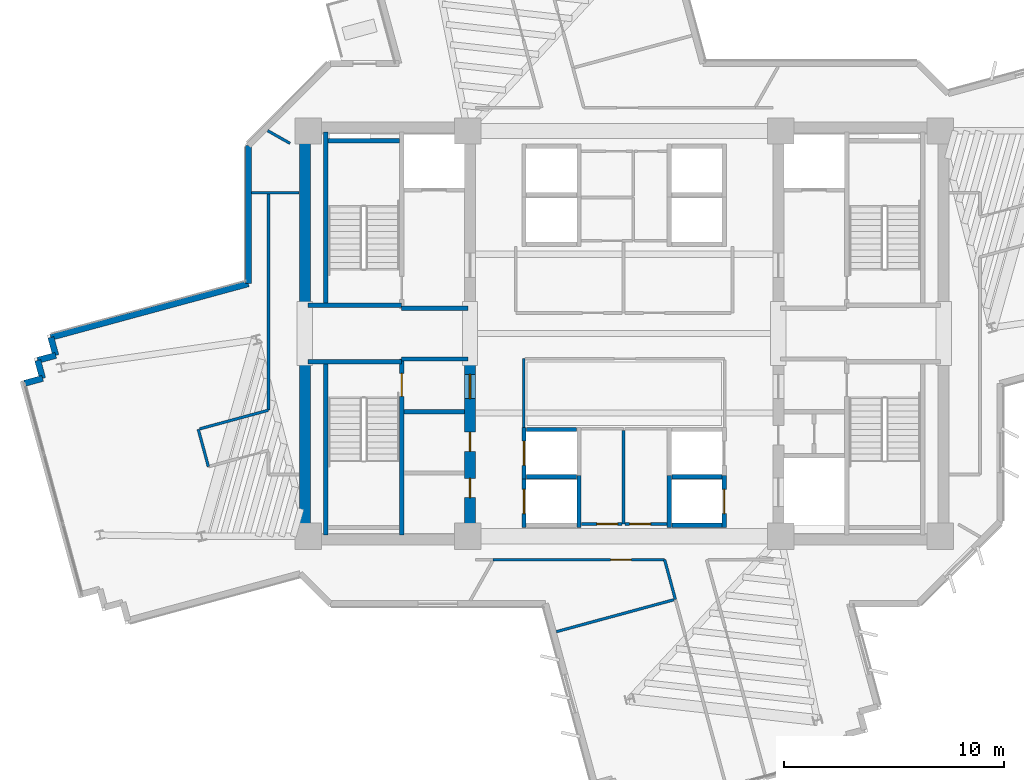
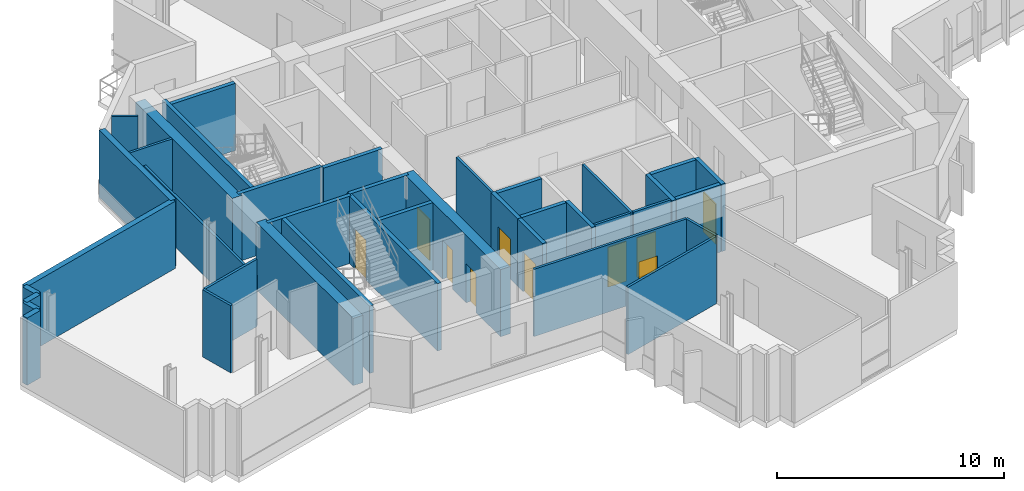
# One storey, part 8 of 15: 39 walls, 10 doors, 10 openings.
"""IFC4 building model written with IfcOpenShell, lengths in metres."""

from ifc_helpers import new_model, si_unit, direction, frame, frame_2d, origin, place, context, subcontext, project, spatial, rectangle, extrude, source, transform, mapped, material, layer, layer_set, type_object, element, fill, save


model = new_model("IFC4")

# Units and contexts
model_context = context("Model", 3, precision=1e-05, world=origin(), true_north=direction((0.0, 1.0)))
body_context = subcontext(model_context, "Body", "Model", "MODEL_VIEW")
ifc_project = project(units=[si_unit("LENGTHUNIT", "METRE"), si_unit("AREAUNIT", "SQUARE_METRE"), si_unit("VOLUMEUNIT", "CUBIC_METRE"), si_unit("PLANEANGLEUNIT", "RADIAN"), si_unit("MASSUNIT", "GRAM", prefix="KILO")], contexts=[model_context])

# Site, building, storey
site_placement = place(None, origin())
site = spatial("IfcSite", under=ifc_project, at=site_placement, CompositionType="ELEMENT")
building_placement = place(site_placement, origin())
building = spatial("IfcBuilding", under=site, at=building_placement, Name="Zahravan Cultural Tower", CompositionType="ELEMENT")
storey_placement = place(building_placement, frame((0.0, 0.0, 198.0)))
storey = spatial("IfcBuildingStorey", under=building, at=storey_placement, Name="L46", CompositionType="ELEMENT", Elevation=198.0)

# Wall, openings, doors
ifc_material_1 = material(Name="Concrete C60/75", Category="concrete")
ifc_layer_1 = layer(ifc_material_1, 0.5)
ifc_layer_set_1 = layer_set([ifc_layer_1], Name="Concrete C60/75")
wall_type_1 = type_object("IfcWallType", Name="CW-SHEAR-500-C60", PredefinedType="SHEAR", material=ifc_layer_set_1)
wall_1_placement = place(storey_placement, frame((29.0, 17.39990234375, 0.0), z_axis=(0.0, 0.0, 1.0), x_axis=(0.0, 1.0, 0.0)))
wall_1 = element("IfcWall", 1, at=wall_1_placement, inside=storey, type_object=wall_type_1, Name="L46 Core Shear Wall CW-W-ES-L46", PredefinedType="SHEAR", context=body_context, shape_type="SweptSolid", body=[
    extrude(rectangle(XDim=8.550048828125, YDim=0.5, at=frame_2d((4.27490234375, 0.0))), origin(), (0.0, 0.0, 1.0), 3.6201171875),
])
opening_1_placement = place(wall_1_placement, frame((6.64990234375, 0.0, 0.0)))
opening_1 = element("IfcOpeningElement", 2, at=opening_1_placement, cuts=wall_1, Name="Opening D-L46-07", PredefinedType="OPENING", context=body_context, shape_type="SweptSolid", body=[
    extrude(rectangle(XDim=1.10009765625, YDim=2.199951171875, at=frame_2d((0.550048828125, 1.10009765625))), frame((0.0, 0.260009765625, 0.0), z_axis=(0.0, -1.0, 0.0), x_axis=(1.0, 0.0, 0.0)), (0.0, 0.0, 1.0), 0.52001953125),
])
opening_2_placement = place(wall_1_placement, frame((2.14990234375, 0.0, 0.0)))
opening_2 = element("IfcOpeningElement", 3, at=opening_2_placement, cuts=wall_1, Name="Opening D-L46-09", PredefinedType="OPENING", context=body_context, shape_type="SweptSolid", body=[
    extrude(rectangle(XDim=0.8798828125, YDim=2.10009765625, at=frame_2d((0.43994140625, 1.050048828125))), frame((0.0, 0.260009765625, 0.0), z_axis=(0.0, -1.0, 0.0), x_axis=(1.0, 0.0, 0.0)), (0.0, 0.0, 1.0), 0.52001953125),
])
opening_3_placement = place(wall_1_placement, frame((4.25, 0.0, 0.0)))
opening_3 = element("IfcOpeningElement", 4, at=opening_3_placement, cuts=wall_1, Name="Opening D-L46-10", PredefinedType="OPENING", context=body_context, shape_type="SweptSolid", body=[
    extrude(rectangle(XDim=0.8798828125, YDim=2.10009765625, at=frame_2d((0.43994140625, 1.050048828125))), frame((0.0, 0.260009765625, 0.0), z_axis=(0.0, -1.0, 0.0), x_axis=(1.0, 0.0, 0.0)), (0.0, 0.0, 1.0), 0.52001953125),
])
ifc_material_2 = material(Name="Steel ASTM A572 Grade 50", Category="steel")
door_type_1 = type_object("IfcDoorType", Name="DR-LOBBY-1100", OperationType="NOTDEFINED", PredefinedType="DOOR", material=ifc_material_2)
shared_shape_1 = source(origin(), body_context, "Body", "SweptSolid", [
    extrude(rectangle(XDim=1.10009765625, YDim=2.199951171875, at=frame_2d((0.550048828125, 1.10009765625))), frame((0.0, 0.02490234375, 0.0), z_axis=(0.0, -1.0, 0.0), x_axis=(1.0, 0.0, 0.0)), (0.0, 0.0, 1.0), 0.050048828125),
])
door_1_placement = place(opening_1_placement, origin())
door_1 = element("IfcDoor", 5, at=door_1_placement, inside=storey, type_object=door_type_1, Name="L46 Door D-L46-07", OperationType="SINGLE_SWING_LEFT", OverallHeight=2.199951171875, OverallWidth=1.10009765625, PredefinedType="DOOR", context=body_context, shape_type="MappedRepresentation", body=[
    mapped(shared_shape_1, transform((0.0, 0.0, 0.0), x_axis=(1.0, 0.0, 0.0), y_axis=(0.0, 1.0, 0.0), z_axis=(0.0, 0.0, 1.0), scale=1.0)),
])
fill(opening_1, door_1)
door_type_2 = type_object("IfcDoorType", Name="DR-SVC-880", OperationType="NOTDEFINED", PredefinedType="DOOR", material=ifc_material_2)
shared_shape_2 = source(origin(), body_context, "Body", "SweptSolid", [
    extrude(rectangle(XDim=0.8798828125, YDim=2.10009765625, at=frame_2d((0.43994140625, 1.050048828125))), frame((0.0, 0.02490234375, 0.0), z_axis=(0.0, -1.0, 0.0), x_axis=(1.0, 0.0, 0.0)), (0.0, 0.0, 1.0), 0.050048828125),
])
door_2_placement = place(opening_2_placement, origin())
door_2 = element("IfcDoor", 6, at=door_2_placement, inside=storey, type_object=door_type_2, Name="L46 Door D-L46-09", OperationType="SINGLE_SWING_LEFT", OverallHeight=2.10009765625, OverallWidth=0.8798828125, PredefinedType="DOOR", context=body_context, shape_type="MappedRepresentation", body=[
    mapped(shared_shape_2, transform((0.0, 0.0, 0.0), x_axis=(1.0, 0.0, 0.0), y_axis=(0.0, 1.0, 0.0), z_axis=(0.0, 0.0, 1.0), scale=1.0)),
])
fill(opening_2, door_2)
door_3_placement = place(opening_3_placement, origin())
door_3 = element("IfcDoor", 7, at=door_3_placement, inside=storey, type_object=door_type_2, Name="L46 Door D-L46-10", OperationType="SINGLE_SWING_RIGHT", OverallHeight=2.10009765625, OverallWidth=0.8798828125, PredefinedType="DOOR", context=body_context, shape_type="MappedRepresentation", body=[
    mapped(shared_shape_2, transform((0.0, 0.0, 0.0), x_axis=(1.0, 0.0, 0.0), y_axis=(0.0, 1.0, 0.0), z_axis=(0.0, 0.0, 1.0), scale=1.0)),
])
fill(opening_3, door_3)

# Wall, opening, door
ifc_material_3 = material(Name="Gypsum plasterboard partition")
ifc_layer_2 = layer(ifc_material_3, 0.125)
ifc_layer_set_2 = layer_set([ifc_layer_2], Name="Gypsum plasterboard partition")
wall_type_2 = type_object("IfcWallType", Name="W-PART-125", PredefinedType="PARTITIONING", material=ifc_layer_set_2)
wall_2_placement = place(storey_placement, frame((35.902587890625, 18.360107421875, 0.0), z_axis=(0.0, 0.0, 1.0), x_axis=(-1.0, 0.0, 0.0)))
wall_2 = element("IfcWall", 8, at=wall_2_placement, inside=storey, type_object=wall_type_2, Name="L46 Interior Wall 065", PredefinedType="PARTITIONING", context=body_context, shape_type="SweptSolid", body=[
    extrude(rectangle(XDim=1.84765625, YDim=0.125, at=frame_2d((0.923828125, 0.0))), origin(), (0.0, 0.0, 1.0), 3.6201171875),
])
opening_4_placement = place(wall_2_placement, frame((0.197509765625, 0.0, 0.0)))
opening_4 = element("IfcOpeningElement", 9, at=opening_4_placement, cuts=wall_2, Name="Opening D-L46-18", PredefinedType="OPENING", context=body_context, shape_type="SweptSolid", body=[
    extrude(rectangle(XDim=0.949951171875, YDim=2.14990234375, at=frame_2d((0.47509765625, 1.074951171875))), frame((0.0, 0.072509765625, 0.0), z_axis=(0.0, -1.0, 0.0), x_axis=(1.0, 0.0, 0.0)), (0.0, 0.0, 1.0), 0.14501953125),
])
ifc_material_4 = material(Name="Anodised bronze-aluminium mullion", Category="aluminium")
door_type_3 = type_object("IfcDoorType", Name="DR-ROOM-950", OperationType="NOTDEFINED", PredefinedType="DOOR", material=ifc_material_4)
shared_shape_3 = source(origin(), body_context, "Body", "SweptSolid", [
    extrude(rectangle(XDim=0.949951171875, YDim=2.14990234375, at=frame_2d((0.47509765625, 1.074951171875))), frame((0.0, 0.02490234375, 0.0), z_axis=(0.0, -1.0, 0.0), x_axis=(1.0, 0.0, 0.0)), (0.0, 0.0, 1.0), 0.050048828125),
])
door_4_placement = place(opening_4_placement, origin())
door_4 = element("IfcDoor", 10, at=door_4_placement, inside=storey, type_object=door_type_3, Name="L46 Door D-L46-18", OperationType="SINGLE_SWING_RIGHT", OverallHeight=2.14990234375, OverallWidth=0.949951171875, PredefinedType="DOOR", context=body_context, shape_type="MappedRepresentation", body=[
    mapped(shared_shape_3, transform((0.0, 0.0, 0.0), x_axis=(1.0, 0.0, 0.0), y_axis=(0.0, 1.0, 0.0), z_axis=(0.0, 0.0, 1.0), scale=1.0)),
])
fill(opening_4, door_4)

wall_3_placement = place(storey_placement, frame((37.945068359375, 18.360107421875, 0.0), z_axis=(0.0, 0.0, 1.0), x_axis=(-1.0, 0.0, 0.0)))
wall_3 = element("IfcWall", 11, at=wall_3_placement, inside=storey, type_object=wall_type_2, Name="L46 Interior Wall 067", PredefinedType="PARTITIONING", context=body_context, shape_type="SweptSolid", body=[
    extrude(rectangle(XDim=1.907470703125, YDim=0.125, at=frame_2d((0.95361328125, 0.0))), origin(), (0.0, 0.0, 1.0), 3.6201171875),
])
opening_5_placement = place(wall_3_placement, frame((0.746826171875, 0.0, 0.0)))
opening_5 = element("IfcOpeningElement", 12, at=opening_5_placement, cuts=wall_3, Name="Opening D-L46-19", PredefinedType="OPENING", context=body_context, shape_type="SweptSolid", body=[
    extrude(rectangle(XDim=0.949951171875, YDim=2.14990234375, at=frame_2d((0.47509765625, 1.074951171875))), frame((0.0, 0.072509765625, 0.0), z_axis=(0.0, -1.0, 0.0), x_axis=(1.0, 0.0, 0.0)), (0.0, 0.0, 1.0), 0.14501953125),
])
door_5_placement = place(opening_5_placement, origin())
door_5 = element("IfcDoor", 13, at=door_5_placement, inside=storey, type_object=door_type_3, Name="L46 Door D-L46-19", OperationType="SINGLE_SWING_LEFT", OverallHeight=2.14990234375, OverallWidth=0.949951171875, PredefinedType="DOOR", context=body_context, shape_type="MappedRepresentation", body=[
    mapped(shared_shape_3, transform((0.0, 0.0, 0.0), x_axis=(1.0, 0.0, 0.0), y_axis=(0.0, 1.0, 0.0), z_axis=(0.0, 0.0, 1.0), scale=1.0)),
])
fill(opening_5, door_5)

wall_4_placement = place(storey_placement, frame((30.044677734375, 16.739990234375, 0.0), z_axis=(0.0, 0.0, 1.0), x_axis=(1.0, 0.0, 0.0)))
wall_4 = element("IfcWall", 14, at=wall_4_placement, inside=storey, type_object=wall_type_2, Name="L46 Interior Wall 077", PredefinedType="PARTITIONING", context=body_context, shape_type="SweptSolid", body=[
    extrude(rectangle(XDim=7.78955078125, YDim=0.125, at=frame_2d((3.894775390625, 0.0))), origin(), (0.0, 0.0, 1.0), 3.6201171875),
])
opening_6_placement = place(wall_4_placement, frame((5.3349609375, 0.0, 0.0)))
opening_6 = element("IfcOpeningElement", 15, at=opening_6_placement, cuts=wall_4, Name="Opening D-L46-25", PredefinedType="OPENING", context=body_context, shape_type="SweptSolid", body=[
    extrude(rectangle(XDim=0.949951171875, YDim=2.14990234375, at=frame_2d((0.47509765625, 1.074951171875))), frame((0.0, 0.072509765625, 0.0), z_axis=(0.0, -1.0, 0.0), x_axis=(1.0, 0.0, 0.0)), (0.0, 0.0, 1.0), 0.14501953125),
])
door_6_placement = place(opening_6_placement, origin())
door_6 = element("IfcDoor", 16, at=door_6_placement, inside=storey, type_object=door_type_3, Name="L46 Door D-L46-25", OperationType="SINGLE_SWING_LEFT", OverallHeight=2.14990234375, OverallWidth=0.949951171875, PredefinedType="DOOR", context=body_context, shape_type="MappedRepresentation", body=[
    mapped(shared_shape_3, transform((0.0, 0.0, 0.0), x_axis=(1.0, 0.0, 0.0), y_axis=(0.0, 1.0, 0.0), z_axis=(0.0, 0.0, 1.0), scale=1.0)),
])
fill(opening_6, door_6)

ifc_material_5 = material(Name="Concrete C45/55", Category="concrete")
ifc_layer_3 = layer(ifc_material_5, 0.199951171875)
ifc_layer_set_3 = layer_set([ifc_layer_3], Name="Concrete C45/55")
wall_type_3 = type_object("IfcWallType", Name="W-SHAFT-200", PredefinedType="SOLIDWALL", material=ifc_layer_set_3)
wall_5_placement = place(storey_placement, frame((25.89990234375, 17.85009765625, 0.0), z_axis=(0.0, 0.0, 1.0), x_axis=(0.0, 1.0, 0.0)))
wall_5 = element("IfcWall", 17, at=wall_5_placement, inside=storey, type_object=wall_type_3, Name="L46 Interior Wall 005", PredefinedType="SOLIDWALL", context=body_context, shape_type="SweptSolid", body=[
    extrude(rectangle(XDim=8.0, YDim=0.199951171875, at=frame_2d((4.0, 0.0))), origin(), (0.0, 0.0, 1.0), 3.6201171875),
])
opening_7_placement = place(wall_5_placement, frame((6.300048828125, 0.0, 0.0)))
opening_7 = element("IfcOpeningElement", 18, at=opening_7_placement, cuts=wall_5, Name="Opening D-L46-04", PredefinedType="OPENING", context=body_context, shape_type="SweptSolid", body=[
    extrude(rectangle(XDim=1.050048828125, YDim=2.14990234375, at=frame_2d((0.52490234375, 1.074951171875))), frame((0.0, 0.10986328125, 0.0), z_axis=(0.0, -1.0, 0.0), x_axis=(1.0, 0.0, 0.0)), (0.0, 0.0, 1.0), 0.219970703125),
])
door_type_4 = type_object("IfcDoorType", Name="DR-STAIR-1050", OperationType="NOTDEFINED", PredefinedType="DOOR", material=ifc_material_2)
shared_shape_4 = source(origin(), body_context, "Body", "SweptSolid", [
    extrude(rectangle(XDim=1.050048828125, YDim=2.14990234375, at=frame_2d((0.52490234375, 1.074951171875))), frame((0.0, 0.02490234375, 0.0), z_axis=(0.0, -1.0, 0.0), x_axis=(1.0, 0.0, 0.0)), (0.0, 0.0, 1.0), 0.050048828125),
])
door_7_placement = place(opening_7_placement, origin())
door_7 = element("IfcDoor", 19, at=door_7_placement, inside=storey, type_object=door_type_4, Name="L46 Door D-L46-04", OperationType="SINGLE_SWING_RIGHT", OverallHeight=2.14990234375, OverallWidth=1.050048828125, PredefinedType="DOOR", context=body_context, shape_type="MappedRepresentation", body=[
    mapped(shared_shape_4, transform((0.0, 0.0, 0.0), x_axis=(1.0, 0.0, 0.0), y_axis=(0.0, 1.0, 0.0), z_axis=(0.0, 0.0, 1.0), scale=1.0)),
])
fill(opening_7, door_7)

wall_6_placement = place(storey_placement, frame((31.449951171875, 20.39990234375, 0.0), z_axis=(0.0, 0.0, 1.0), x_axis=(0.0, 1.0, 0.0)))
wall_6 = element("IfcWall", 20, at=wall_6_placement, inside=storey, type_object=wall_type_3, Name="L46 Interior Wall 042", PredefinedType="SOLIDWALL", context=body_context, shape_type="SweptSolid", body=[
    extrude(rectangle(XDim=2.35009765625, YDim=0.199951171875, at=frame_2d((1.175048828125, 0.0))), origin(), (0.0, 0.0, 1.0), 3.6201171875),
])
opening_8_placement = place(wall_6_placement, frame((0.625, 0.0, 0.0)))
opening_8 = element("IfcOpeningElement", 21, at=opening_8_placement, cuts=wall_6, Name="Opening LD-L46-04", PredefinedType="OPENING", context=body_context, shape_type="SweptSolid", body=[
    extrude(rectangle(XDim=1.10009765625, YDim=2.14990234375, at=frame_2d((0.550048828125, 1.074951171875))), frame((0.0, 0.10986328125, 0.0), z_axis=(0.0, -1.0, 0.0), x_axis=(1.0, 0.0, 0.0)), (0.0, 0.0, 1.0), 0.219970703125),
])
door_type_5 = type_object("IfcDoorType", Name="DR-LIFT-1100", OperationType="DOUBLE_DOOR_SLIDING", PredefinedType="DOOR", material=ifc_material_2)
shared_shape_5 = source(origin(), body_context, "Body", "SweptSolid", [
    extrude(rectangle(XDim=1.10009765625, YDim=2.14990234375, at=frame_2d((0.550048828125, 1.074951171875))), frame((0.0, 0.02490234375, 0.0), z_axis=(0.0, -1.0, 0.0), x_axis=(1.0, 0.0, 0.0)), (0.0, 0.0, 1.0), 0.050048828125),
])
door_8_placement = place(opening_8_placement, origin())
door_8 = element("IfcDoor", 22, at=door_8_placement, inside=storey, type_object=door_type_5, Name="L46 Door LD-L46-04", OperationType="DOUBLE_DOOR_SLIDING", OverallHeight=2.14990234375, OverallWidth=1.10009765625, PredefinedType="DOOR", context=body_context, shape_type="MappedRepresentation", body=[
    mapped(shared_shape_5, transform((0.0, 0.0, 0.0), x_axis=(1.0, 0.0, 0.0), y_axis=(0.0, 1.0, 0.0), z_axis=(0.0, 0.0, 1.0), scale=1.0)),
])
fill(opening_8, door_8)

wall_7_placement = place(storey_placement, frame((31.449951171875, 18.199951171875, 0.0), z_axis=(0.0, 0.0, 1.0), x_axis=(0.0, 1.0, 0.0)))
wall_7 = element("IfcWall", 23, at=wall_7_placement, inside=storey, type_object=wall_type_3, Name="L46 Interior Wall 046", PredefinedType="SOLIDWALL", context=body_context, shape_type="SweptSolid", body=[
    extrude(rectangle(XDim=2.35009765625, YDim=0.199951171875, at=frame_2d((1.175048828125, 0.0))), origin(), (0.0, 0.0, 1.0), 3.6201171875),
])
opening_9_placement = place(wall_7_placement, frame((0.625, 0.0, 0.0)))
opening_9 = element("IfcOpeningElement", 24, at=opening_9_placement, cuts=wall_7, Name="Opening LD-L46-05", PredefinedType="OPENING", context=body_context, shape_type="SweptSolid", body=[
    extrude(rectangle(XDim=1.10009765625, YDim=2.14990234375, at=frame_2d((0.550048828125, 1.074951171875))), frame((0.0, 0.10986328125, 0.0), z_axis=(0.0, -1.0, 0.0), x_axis=(1.0, 0.0, 0.0)), (0.0, 0.0, 1.0), 0.219970703125),
])
door_9_placement = place(opening_9_placement, origin())
door_9 = element("IfcDoor", 25, at=door_9_placement, inside=storey, type_object=door_type_5, Name="L46 Door LD-L46-05", OperationType="DOUBLE_DOOR_SLIDING", OverallHeight=2.14990234375, OverallWidth=1.10009765625, PredefinedType="DOOR", context=body_context, shape_type="MappedRepresentation", body=[
    mapped(shared_shape_5, transform((0.0, 0.0, 0.0), x_axis=(1.0, 0.0, 0.0), y_axis=(0.0, 1.0, 0.0), z_axis=(0.0, 0.0, 1.0), scale=1.0)),
])
fill(opening_9, door_9)

wall_8_placement = place(storey_placement, frame((40.550048828125, 18.199951171875, 0.0), z_axis=(0.0, 0.0, 1.0), x_axis=(0.0, 1.0, 0.0)))
wall_8 = element("IfcWall", 26, at=wall_8_placement, inside=storey, type_object=wall_type_3, Name="L46 Interior Wall 054", PredefinedType="SOLIDWALL", context=body_context, shape_type="SweptSolid", body=[
    extrude(rectangle(XDim=2.35009765625, YDim=0.199951171875, at=frame_2d((1.175048828125, 0.0))), origin(), (0.0, 0.0, 1.0), 3.6201171875),
])
opening_10_placement = place(wall_8_placement, frame((0.625, 0.0, 0.0)))
opening_10 = element("IfcOpeningElement", 27, at=opening_10_placement, cuts=wall_8, Name="Opening LD-L46-07", PredefinedType="OPENING", context=body_context, shape_type="SweptSolid", body=[
    extrude(rectangle(XDim=1.10009765625, YDim=2.14990234375, at=frame_2d((0.550048828125, 1.074951171875))), frame((0.0, 0.10986328125, 0.0), z_axis=(0.0, -1.0, 0.0), x_axis=(1.0, 0.0, 0.0)), (0.0, 0.0, 1.0), 0.219970703125),
])
door_10_placement = place(opening_10_placement, origin())
door_10 = element("IfcDoor", 28, at=door_10_placement, inside=storey, type_object=door_type_5, Name="L46 Door LD-L46-07", OperationType="DOUBLE_DOOR_SLIDING", OverallHeight=2.14990234375, OverallWidth=1.10009765625, PredefinedType="DOOR", context=body_context, shape_type="MappedRepresentation", body=[
    mapped(shared_shape_5, transform((0.0, 0.0, 0.0), x_axis=(1.0, 0.0, 0.0), y_axis=(0.0, 1.0, 0.0), z_axis=(0.0, 0.0, 1.0), scale=1.0)),
])
fill(opening_10, door_10)

# Walls
shared_shape_6 = source(origin(), body_context, "Body", "SweptSolid", [
    extrude(rectangle(XDim=8.550048828125, YDim=0.5, at=frame_2d((4.27490234375, 0.0))), origin(), (0.0, 0.0, 1.0), 3.6201171875),
])
for number, where, z_axis, x_axis, name in (
    (29, (21.5, 17.39990234375, 0.0), (0.0, 0.0, 1.0), (0.0, 1.0, 0.0), "L46 Core Shear Wall CW-W-WS-L46"),
    (30, (21.5, 28.050048828125, 0.0), (0.0, 0.0, 1.0), (0.0, 1.0, 0.0), "L46 Core Shear Wall CW-W-WN-L46"),
):
    element("IfcWall", number, at=place(storey_placement, frame(where, z_axis=z_axis, x_axis=x_axis)), inside=storey, type_object=wall_type_1, Name=name, PredefinedType="SHEAR", context=body_context, shape_type="MappedRepresentation", body=[
        mapped(shared_shape_6, transform((0.0, 0.0, 0.0), x_axis=(1.0, 0.0, 0.0), y_axis=(0.0, 1.0, 0.0), z_axis=(0.0, 0.0, 1.0), scale=1.0)),
    ])
ifc_material_6 = material(Name="Precast concrete C40/50", Category="concrete")
ifc_layer_4 = layer(ifc_material_6, 0.280029296875)
ifc_layer_set_4 = layer_set([ifc_layer_4], Name="Precast concrete C40/50")
wall_type_4 = type_object("IfcWallType", Name="EW-TC-280", PredefinedType="SOLIDWALL", material=ifc_layer_set_4)
shared_shape_7 = source(origin(), body_context, "Body", "SweptSolid", [
    extrude(rectangle(XDim=0.85009765625, YDim=0.280029296875, at=frame_2d((0.425048828125, 0.0))), origin(), (0.0, 0.0, 1.0), 3.6201171875),
])
for number, where, z_axis, x_axis, name in (
    (31, (8.779296875, 24.744140625, 0.0), (0.0, 0.0, 1.0), (0.965081274591, 0.261950631675, 0.0), "L46 Exterior Masonry Frame Wall 32"),
    (32, (9.599609375, 24.966796875, 0.0), (0.0, 0.0, 1.0), (-0.262218119094, 0.965008631059, 0.0), "L46 Exterior Masonry Frame Wall 33"),
    (33, (9.376708984375, 25.787109375, 0.0), (0.0, 0.0, 1.0), (0.965008631059, 0.262218119094, 0.0), "L46 Exterior Masonry Frame Wall 34"),
    (34, (10.197021484375, 26.010009765625, 0.0), (0.0, 0.0, 1.0), (-0.262218119094, 0.965008631059, 0.0), "L46 Exterior Masonry Frame Wall 35"),
):
    element("IfcWall", number, at=place(storey_placement, frame(where, z_axis=z_axis, x_axis=x_axis)), inside=storey, type_object=wall_type_4, Name=name, PredefinedType="SOLIDWALL", context=body_context, shape_type="MappedRepresentation", body=[
        mapped(shared_shape_7, transform((0.0, 0.0, 0.0), x_axis=(1.0, 0.0, 0.0), y_axis=(0.0, 1.0, 0.0), z_axis=(0.0, 0.0, 1.0), scale=1.0)),
    ])
shared_shape_8 = source(origin(), body_context, "Body", "SweptSolid", [
    extrude(rectangle(XDim=9.290771484375, YDim=0.280029296875, at=frame_2d((4.6455078125, 0.0))), origin(), (0.0, 0.0, 1.0), 3.6201171875),
])
wall_9_placement = place(storey_placement, frame((9.97412109375, 26.830322265625, 0.0), z_axis=(0.0, 0.0, 1.0), x_axis=(0.965014433153, 0.262196765439, 0.0)))
element("IfcWall", 35, at=wall_9_placement, inside=storey, type_object=wall_type_4, Name="L46 Exterior Masonry Frame Wall 36", PredefinedType="SOLIDWALL", context=body_context, shape_type="MappedRepresentation", body=[
    mapped(shared_shape_8, transform((0.0, 0.0, 0.0), x_axis=(1.0, 0.0, 0.0), y_axis=(0.0, 1.0, 0.0), z_axis=(0.0, 0.0, 1.0), scale=1.0)),
])
shared_shape_9 = source(origin(), body_context, "Body", "SweptSolid", [
    extrude(rectangle(XDim=6.275634765625, YDim=0.280029296875, at=frame_2d((3.1376953125, 0.0))), origin(), (0.0, 0.0, 1.0), 3.6201171875),
])
wall_10_placement = place(storey_placement, frame((18.93994140625, 29.266357421875, 0.0), z_axis=(0.0, 0.0, 1.0), x_axis=(0.0, 1.0, 0.0)))
element("IfcWall", 36, at=wall_10_placement, inside=storey, type_object=wall_type_4, Name="L46 Exterior Masonry Frame Wall 37", PredefinedType="SOLIDWALL", context=body_context, shape_type="MappedRepresentation", body=[
    mapped(shared_shape_9, transform((0.0, 0.0, 0.0), x_axis=(1.0, 0.0, 0.0), y_axis=(0.0, 1.0, 0.0), z_axis=(0.0, 0.0, 1.0), scale=1.0)),
])
shared_shape_10 = source(origin(), body_context, "Body", "SweptSolid", [
    extrude(rectangle(XDim=7.869873046875, YDim=0.199951171875, at=frame_2d((3.93505859375, 0.0))), origin(), (0.0, 0.0, 1.0), 3.6201171875),
])
for number, where, z_axis, x_axis, name in (
    (37, (22.449951171875, 17.85009765625, 0.0), (0.0, 0.0, 1.0), (0.0, 1.0, 0.0), "L46 Interior Wall 001"),
    (38, (22.449951171875, 28.280029296875, 0.0), (0.0, 0.0, 1.0), (0.0, 1.0, 0.0), "L46 Interior Wall 002"),
):
    element("IfcWall", number, at=place(storey_placement, frame(where, z_axis=z_axis, x_axis=x_axis)), inside=storey, type_object=wall_type_3, Name=name, PredefinedType="SOLIDWALL", context=body_context, shape_type="MappedRepresentation", body=[
        mapped(shared_shape_10, transform((0.0, 0.0, 0.0), x_axis=(1.0, 0.0, 0.0), y_axis=(0.0, 1.0, 0.0), z_axis=(0.0, 0.0, 1.0), scale=1.0)),
    ])
shared_shape_11 = source(origin(), body_context, "Body", "SweptSolid", [
    extrude(rectangle(XDim=4.25, YDim=0.199951171875, at=frame_2d((2.125, 0.0))), origin(), (0.0, 0.0, 1.0), 3.6201171875),
])
for number, where, z_axis, x_axis, name in (
    (39, (21.64990234375, 25.715087890625, 0.0), (0.0, 0.0, 1.0), (1.0, 0.0, 0.0), "L46 Interior Wall 009"),
    (40, (21.64990234375, 28.284912109375, 0.0), (0.0, 0.0, 1.0), (1.0, 0.0, 0.0), "L46 Interior Wall 011"),
):
    element("IfcWall", number, at=place(storey_placement, frame(where, z_axis=z_axis, x_axis=x_axis)), inside=storey, type_object=wall_type_3, Name=name, PredefinedType="SOLIDWALL", context=body_context, shape_type="MappedRepresentation", body=[
        mapped(shared_shape_11, transform((0.0, 0.0, 0.0), x_axis=(1.0, 0.0, 0.0), y_axis=(0.0, 1.0, 0.0), z_axis=(0.0, 0.0, 1.0), scale=1.0)),
    ])
shared_shape_12 = source(origin(), body_context, "Body", "SweptSolid", [
    extrude(rectangle(XDim=3.0, YDim=0.199951171875, at=frame_2d((1.5, 0.0))), origin(), (0.0, 0.0, 1.0), 3.6201171875),
])
for number, where, z_axis, x_axis, name in (
    (41, (25.89990234375, 25.85009765625, 0.0), (0.0, 0.0, 1.0), (1.0, 0.0, 0.0), "L46 Interior Wall 010"),
    (42, (25.89990234375, 28.14990234375, 0.0), (0.0, 0.0, 1.0), (1.0, 0.0, 0.0), "L46 Interior Wall 012"),
):
    element("IfcWall", number, at=place(storey_placement, frame(where, z_axis=z_axis, x_axis=x_axis)), inside=storey, type_object=wall_type_3, Name=name, PredefinedType="SOLIDWALL", context=body_context, shape_type="MappedRepresentation", body=[
        mapped(shared_shape_12, transform((0.0, 0.0, 0.0), x_axis=(1.0, 0.0, 0.0), y_axis=(0.0, 1.0, 0.0), z_axis=(0.0, 0.0, 1.0), scale=1.0)),
    ])
shared_shape_13 = source(origin(), body_context, "Body", "SweptSolid", [
    extrude(rectangle(XDim=3.25, YDim=0.199951171875, at=frame_2d((1.625, 0.0))), origin(), (0.0, 0.0, 1.0), 3.6201171875),
])
wall_11_placement = place(storey_placement, frame((22.550048828125, 35.75, 0.0), z_axis=(0.0, 0.0, 1.0), x_axis=(1.0, 0.0, 0.0)))
element("IfcWall", 43, at=wall_11_placement, inside=storey, type_object=wall_type_3, Name="L46 Interior Wall 017", PredefinedType="SOLIDWALL", context=body_context, shape_type="MappedRepresentation", body=[
    mapped(shared_shape_13, transform((0.0, 0.0, 0.0), x_axis=(1.0, 0.0, 0.0), y_axis=(0.0, 1.0, 0.0), z_axis=(0.0, 0.0, 1.0), scale=1.0)),
])
shared_shape_14 = source(origin(), body_context, "Body", "SweptSolid", [
    extrude(rectangle(XDim=2.75, YDim=0.199951171875, at=frame_2d((1.375, 0.0))), origin(), (0.0, 0.0, 1.0), 3.6201171875),
])
wall_12_placement = place(storey_placement, frame((26.0, 23.449951171875, 0.0), z_axis=(0.0, 0.0, 1.0), x_axis=(1.0, 0.0, 0.0)))
element("IfcWall", 44, at=wall_12_placement, inside=storey, type_object=wall_type_3, Name="L46 Interior Wall 023", PredefinedType="SOLIDWALL", context=body_context, shape_type="MappedRepresentation", body=[
    mapped(shared_shape_14, transform((0.0, 0.0, 0.0), x_axis=(1.0, 0.0, 0.0), y_axis=(0.0, 1.0, 0.0), z_axis=(0.0, 0.0, 1.0), scale=1.0)),
])
shared_shape_15 = source(origin(), body_context, "Body", "SweptSolid", [
    extrude(rectangle(XDim=2.260009765625, YDim=0.199951171875, at=frame_2d((1.1298828125, 0.0))), origin(), (0.0, 0.0, 1.0), 3.6201171875),
])
for number, where, z_axis, x_axis, name in (
    (45, (31.570068359375, 20.5, 0.0), (0.0, 0.0, 1.0), (1.0, 0.0, 0.0), "L46 Interior Wall 044"),
    (46, (31.570068359375, 22.64990234375, 0.0), (0.0, 0.0, 1.0), (1.0, 0.0, 0.0), "L46 Interior Wall 045"),
    (47, (38.169921875, 20.5, 0.0), (0.0, 0.0, 1.0), (1.0, 0.0, 0.0), "L46 Interior Wall 051"),
    (48, (38.169921875, 18.300048828125, 0.0), (0.0, 0.0, 1.0), (1.0, 0.0, 0.0), "L46 Interior Wall 055"),
):
    element("IfcWall", number, at=place(storey_placement, frame(where, z_axis=z_axis, x_axis=x_axis)), inside=storey, type_object=wall_type_3, Name=name, PredefinedType="SOLIDWALL", context=body_context, shape_type="MappedRepresentation", body=[
        mapped(shared_shape_15, transform((0.0, 0.0, 0.0), x_axis=(1.0, 0.0, 0.0), y_axis=(0.0, 1.0, 0.0), z_axis=(0.0, 0.0, 1.0), scale=1.0)),
    ])
shared_shape_16 = source(origin(), body_context, "Body", "SweptSolid", [
    extrude(rectangle(XDim=2.35009765625, YDim=0.199951171875, at=frame_2d((1.175048828125, 0.0))), origin(), (0.0, 0.0, 1.0), 3.6201171875),
])
for number, where, z_axis, x_axis, name in (
    (49, (33.949951171875, 18.199951171875, 0.0), (0.0, 0.0, 1.0), (0.0, 1.0, 0.0), "L46 Interior Wall 047"),
    (50, (38.050048828125, 18.199951171875, 0.0), (0.0, 0.0, 1.0), (0.0, 1.0, 0.0), "L46 Interior Wall 053"),
):
    element("IfcWall", number, at=place(storey_placement, frame(where, z_axis=z_axis, x_axis=x_axis)), inside=storey, type_object=wall_type_3, Name=name, PredefinedType="SOLIDWALL", context=body_context, shape_type="MappedRepresentation", body=[
        mapped(shared_shape_16, transform((0.0, 0.0, 0.0), x_axis=(1.0, 0.0, 0.0), y_axis=(0.0, 1.0, 0.0), z_axis=(0.0, 0.0, 1.0), scale=1.0)),
    ])
shared_shape_17 = source(origin(), body_context, "Body", "SweptSolid", [
    extrude(rectangle(XDim=3.110107421875, YDim=0.125, at=frame_2d((1.55517578125, 0.0))), origin(), (0.0, 0.0, 1.0), 3.6201171875),
])
wall_13_placement = place(storey_placement, frame((31.43994140625, 22.75, 0.0), z_axis=(0.0, 0.0, 1.0), x_axis=(0.0, 1.0, 0.0)))
element("IfcWall", 51, at=wall_13_placement, inside=storey, type_object=wall_type_2, Name="L46 Interior Wall 081", PredefinedType="PARTITIONING", context=body_context, shape_type="MappedRepresentation", body=[
    mapped(shared_shape_17, transform((0.0, 0.0, 0.0), x_axis=(1.0, 0.0, 0.0), y_axis=(0.0, 1.0, 0.0), z_axis=(0.0, 0.0, 1.0), scale=1.0)),
])
shared_shape_18 = source(origin(), body_context, "Body", "SweptSolid", [
    extrude(rectangle(XDim=5.52734375, YDim=0.125, at=frame_2d((2.763671875, 0.0))), origin(), (0.0, 0.0, 1.0), 3.6201171875),
])
wall_14_placement = place(storey_placement, frame((38.2587890625, 14.919677734375, 0.0), z_axis=(0.0, 0.0, 1.0), x_axis=(-0.965004985248, -0.262231535949, 0.0)))
element("IfcWall", 52, at=wall_14_placement, inside=storey, type_object=wall_type_2, Name="L46 Interior Wall 079", PredefinedType="PARTITIONING", context=body_context, shape_type="MappedRepresentation", body=[
    mapped(shared_shape_18, transform((0.0, 0.0, 0.0), x_axis=(1.0, 0.0, 0.0), y_axis=(0.0, 1.0, 0.0), z_axis=(0.0, 0.0, 1.0), scale=1.0)),
])
shared_shape_19 = source(origin(), body_context, "Body", "SweptSolid", [
    extrude(rectangle(XDim=4.25244140625, YDim=0.125, at=frame_2d((2.126220703125, 0.0))), origin(), (0.0, 0.0, 1.0), 3.6201171875),
])
wall_15_placement = place(storey_placement, frame((35.969970703125, 22.612548828125, 0.0), z_axis=(0.0, 0.0, 1.0), x_axis=(0.0, -1.0, 0.0)))
element("IfcWall", 53, at=wall_15_placement, inside=storey, type_object=wall_type_2, Name="L46 Interior Wall 064", PredefinedType="PARTITIONING", context=body_context, shape_type="MappedRepresentation", body=[
    mapped(shared_shape_19, transform((0.0, 0.0, 0.0), x_axis=(1.0, 0.0, 0.0), y_axis=(0.0, 1.0, 0.0), z_axis=(0.0, 0.0, 1.0), scale=1.0)),
])
shared_shape_20 = source(origin(), body_context, "Body", "SweptSolid", [
    extrude(rectangle(XDim=2.1650390625, YDim=0.125, at=frame_2d((1.08251953125, 0.0))), origin(), (0.0, 0.0, 1.0), 3.6201171875),
])
wall_16_placement = place(storey_placement, frame((21.2451171875, 33.39990234375, 0.0), z_axis=(0.0, 0.0, 1.0), x_axis=(-1.0, 0.0, 0.0)))
element("IfcWall", 54, at=wall_16_placement, inside=storey, type_object=wall_type_2, Name="L46 Interior Wall 100", PredefinedType="PARTITIONING", context=body_context, shape_type="MappedRepresentation", body=[
    mapped(shared_shape_20, transform((0.0, 0.0, 0.0), x_axis=(1.0, 0.0, 0.0), y_axis=(0.0, 1.0, 0.0), z_axis=(0.0, 0.0, 1.0), scale=1.0)),
])
shared_shape_21 = source(origin(), body_context, "Body", "SweptSolid", [
    extrude(rectangle(XDim=1.8681640625, YDim=0.125, at=frame_2d((0.93408203125, 0.0))), origin(), (0.0, 0.0, 1.0), 3.6201171875),
])
wall_17_placement = place(storey_placement, frame((37.834228515625, 16.739990234375, 0.0), z_axis=(0.0, 0.0, 1.0), x_axis=(0.262166249224, -0.965022723964, 0.0)))
element("IfcWall", 55, at=wall_17_placement, inside=storey, type_object=wall_type_2, Name="L46 Interior Wall 078", PredefinedType="PARTITIONING", context=body_context, shape_type="MappedRepresentation", body=[
    mapped(shared_shape_21, transform((0.0, 0.0, 0.0), x_axis=(1.0, 0.0, 0.0), y_axis=(0.0, 1.0, 0.0), z_axis=(0.0, 0.0, 1.0), scale=1.0)),
])
shared_shape_22 = source(origin(), body_context, "Body", "SweptSolid", [
    extrude(rectangle(XDim=1.166015625, YDim=0.125, at=frame_2d((0.5830078125, 0.0))), origin(), (0.0, 0.0, 1.0), 3.6201171875),
])
wall_18_placement = place(storey_placement, frame((20.830078125, 35.6376953125, 0.0), z_axis=(0.0, 0.0, 1.0), x_axis=(-0.870117959309, 0.492843521707, 0.0)))
element("IfcWall", 56, at=wall_18_placement, inside=storey, type_object=wall_type_2, Name="L46 Interior Wall 093", PredefinedType="PARTITIONING", context=body_context, shape_type="MappedRepresentation", body=[
    mapped(shared_shape_22, transform((0.0, 0.0, 0.0), x_axis=(1.0, 0.0, 0.0), y_axis=(0.0, 1.0, 0.0), z_axis=(0.0, 0.0, 1.0), scale=1.0)),
])
shared_shape_23 = source(origin(), body_context, "Body", "SweptSolid", [
    extrude(rectangle(XDim=1.755859375, YDim=0.125, at=frame_2d((0.8779296875, 0.0))), origin(), (0.0, 0.0, 1.0), 3.6201171875),
])
wall_19_placement = place(storey_placement, frame((16.66455078125, 22.6572265625, 0.0), z_axis=(0.0, 0.0, 1.0), x_axis=(0.262246637243, -0.965000881479, 0.0)))
element("IfcWall", 57, at=wall_19_placement, inside=storey, type_object=wall_type_2, Name="L46 Interior Wall 094", PredefinedType="PARTITIONING", context=body_context, shape_type="MappedRepresentation", body=[
    mapped(shared_shape_23, transform((0.0, 0.0, 0.0), x_axis=(1.0, 0.0, 0.0), y_axis=(0.0, 1.0, 0.0), z_axis=(0.0, 0.0, 1.0), scale=1.0)),
])
shared_shape_24 = source(origin(), body_context, "Body", "SweptSolid", [
    extrude(rectangle(XDim=9.80859375, YDim=0.125, at=frame_2d((4.904296875, 0.0))), origin(), (0.0, 0.0, 1.0), 2.693115234375),
])
wall_20_placement = place(storey_placement, frame((19.850341796875, 33.33251953125, 0.0), z_axis=(0.0, 0.0, 1.0), x_axis=(-2.4890482e-05, -0.99999999969, 0.0)))
element("IfcWall", 58, at=wall_20_placement, inside=storey, type_object=wall_type_2, Name="L46 Interior Wall 101", PredefinedType="PARTITIONING", context=body_context, shape_type="MappedRepresentation", body=[
    mapped(shared_shape_24, transform((0.0, 0.0, 0.0), x_axis=(1.0, 0.0, 0.0), y_axis=(0.0, 1.0, 0.0), z_axis=(0.0, 0.0, 1.0), scale=1.0)),
])
shared_shape_25 = source(origin(), body_context, "Body", "SweptSolid", [
    extrude(rectangle(XDim=3.23388671875, YDim=0.125, at=frame_2d((1.616943359375, 0.0))), origin(), (0.0, 0.0, 1.0), 3.6201171875),
])
wall_21_placement = place(storey_placement, frame((19.849853515625, 23.52392578125, 0.0), z_axis=(0.0, 0.0, 1.0), x_axis=(-0.964930881857, -0.262504082327, 0.0)))
element("IfcWall", 59, at=wall_21_placement, inside=storey, type_object=wall_type_2, Name="L46 Interior Wall 102", PredefinedType="PARTITIONING", context=body_context, shape_type="MappedRepresentation", body=[
    mapped(shared_shape_25, transform((0.0, 0.0, 0.0), x_axis=(1.0, 0.0, 0.0), y_axis=(0.0, 1.0, 0.0), z_axis=(0.0, 0.0, 1.0), scale=1.0)),
])

save(model, "model.ifc")
